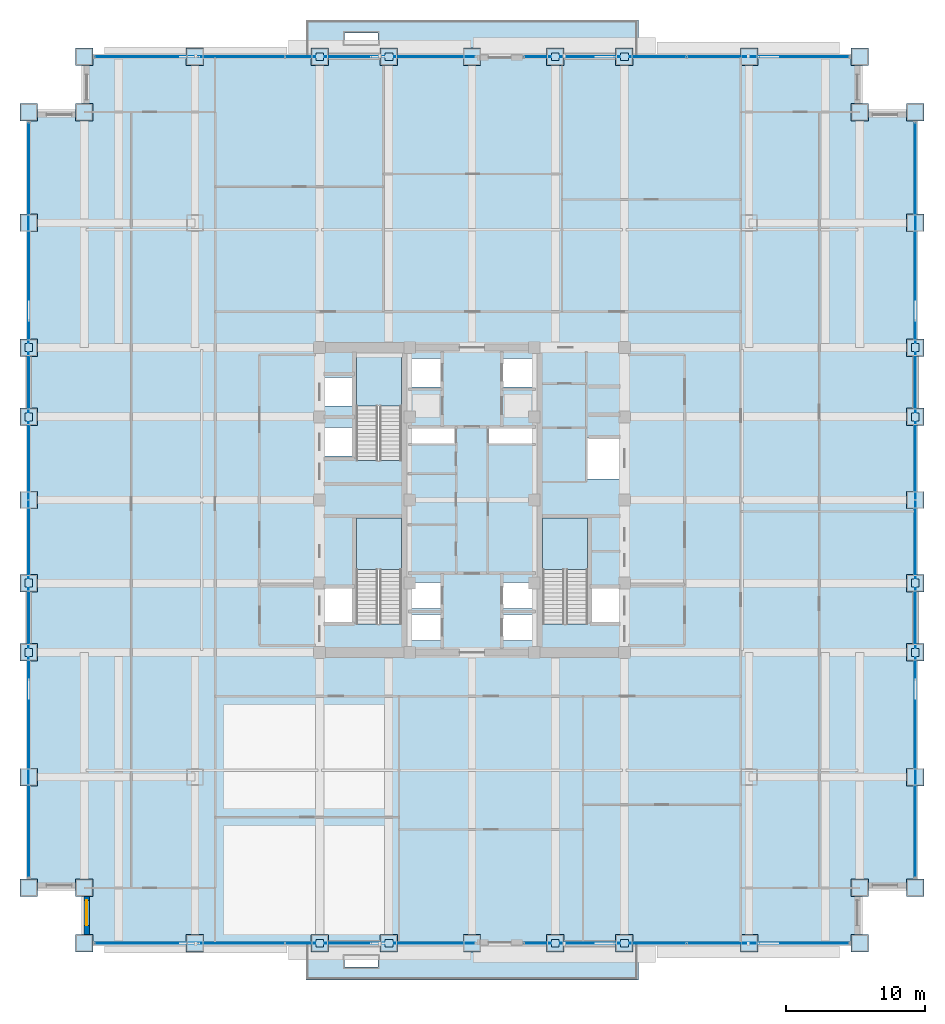
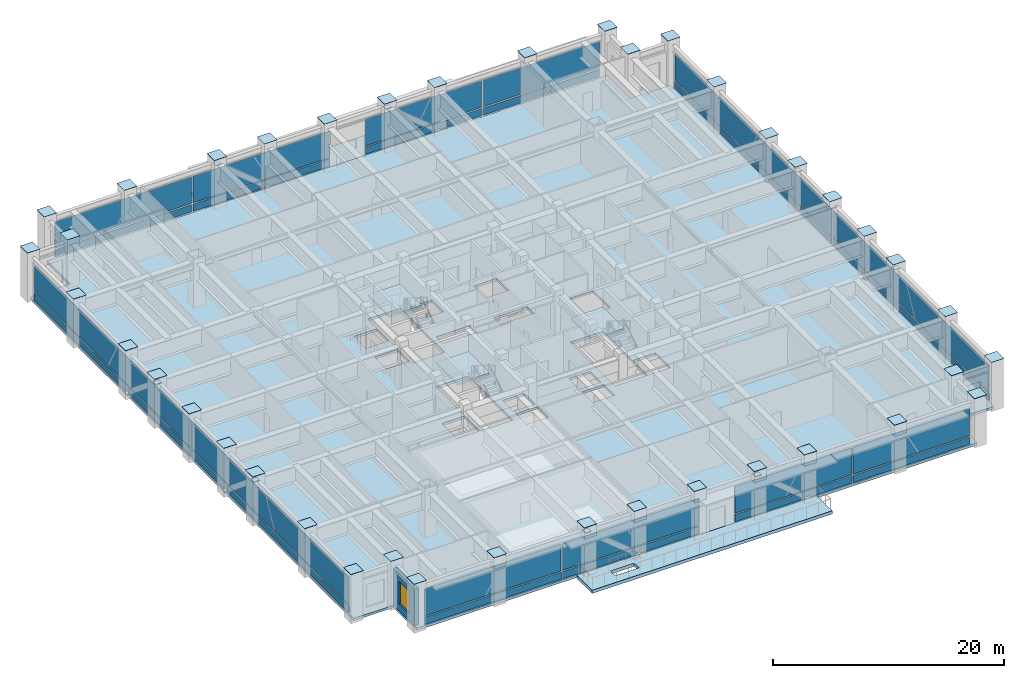
# One storey, part 23 of 34: 80 plates, 6 slabs, 1 wall, 1 window, 1 opening, 9 elements without a shape of their own.
"""IFC4 building model written with IfcOpenShell, lengths in metres."""

import ifcopenshell
import ifcopenshell.guid

model = None  # the IFC model being written
_history = None  # IfcOwnerHistory: only IFC2X3 demands one
_inside = {}  # id of a spatial element -> (the spatial element, [elements in it])
_under = {}  # id of a project, library or spatial element -> (it, [spatial elements below it])
_declared = {}  # id of a project -> (the project, [libraries it declares])
_typed = {}  # id of a type object -> (the type object, [elements of that type])
_made_of = {}  # id of a material, layer set ... -> (it, [elements and type objects made of it])


def new_model(schema):
    """Start an empty IFC model of exactly this schema.

    Asked for "IFC4X3", IfcOpenShell would pick the latest addendum, in which some entities
    have other attributes; the version numbers below select the first issue.
    IFC2X3 requires an IfcOwnerHistory on every rooted entity: one is made here for all.
    """
    global model, _history
    if schema == "IFC4X3":
        model = ifcopenshell.file(schema_version=(4, 3, 0, 0))
    else:
        model = ifcopenshell.file(schema=schema)
    _inside.clear()
    _under.clear()
    _declared.clear()
    _typed.clear()
    _made_of.clear()
    _history = None
    if model.schema == "IFC2X3":
        org = make("IfcOrganization", Name="unknown")
        user = make(
            "IfcPersonAndOrganization",
            ThePerson=make("IfcPerson", FamilyName="unknown"),
            TheOrganization=org,
        )
        app = make(
            "IfcApplication",
            ApplicationDeveloper=org,
            Version="unknown",
            ApplicationFullName="unknown",
            ApplicationIdentifier="unknown",
        )
        _history = make(
            "IfcOwnerHistory",
            OwningUser=user,
            OwningApplication=app,
            ChangeAction="ADDED",
            CreationDate=0,
        )
    return model


def make(cls, **values):
    """One entity of the class cls with the attributes given. An attribute that is None is left unset."""
    return model.create_entity(
        cls, **{name: value for name, value in values.items() if value is not None}
    )


def rooted(cls, **values):
    """An entity with a GlobalId (a new one), such as an element, a storey or a relation."""
    return make(cls, GlobalId=ifcopenshell.guid.new(), OwnerHistory=_history, **values)


def si_unit(unit_type, name, prefix=None):
    """IfcSIUnit, for example si_unit("LENGTHUNIT", "METRE", prefix="MILLI")."""
    return make("IfcSIUnit", UnitType=unit_type, Prefix=prefix, Name=name)


def assignment(units):
    """IfcUnitAssignment: the units of a project."""
    return None if units is None else make("IfcUnitAssignment", Units=units)


def point(xyz):
    """IfcCartesianPoint."""
    return None if xyz is None else make("IfcCartesianPoint", Coordinates=xyz)


def direction(xyz):
    """IfcDirection."""
    return None if xyz is None else make("IfcDirection", DirectionRatios=xyz)


def frame(location, z_axis=None, x_axis=None):
    """IfcAxis2Placement3D, a coordinate frame: its origin and axes. An axis left out is left unset."""
    return make(
        "IfcAxis2Placement3D",
        Location=point(location),
        Axis=direction(z_axis),
        RefDirection=direction(x_axis),
    )


def frame_2d(location, x_axis=None):
    """IfcAxis2Placement2D, a coordinate frame in the plane: its origin and x axis."""
    return make(
        "IfcAxis2Placement2D", Location=point(location), RefDirection=direction(x_axis)
    )


def origin():
    """The frame at (0, 0, 0) with its axes left unset."""
    return frame((0.0, 0.0, 0.0))


def origin_2d():
    """The frame at (0, 0) in the plane with its x axis left unset."""
    return frame_2d((0.0, 0.0))


def place(relative_to, where):
    """IfcLocalPlacement: puts the frame where relative to a parent placement (None: the world)."""
    return make(
        "IfcLocalPlacement", PlacementRelTo=relative_to, RelativePlacement=where
    )


def context(
    kind, dimensions, precision=None, world=None, true_north=None, identifier=None
):
    """IfcGeometricRepresentationContext, for example the 3D "Model" context."""
    return make(
        "IfcGeometricRepresentationContext",
        ContextIdentifier=identifier,
        ContextType=kind,
        CoordinateSpaceDimension=dimensions,
        Precision=precision,
        WorldCoordinateSystem=world,
        TrueNorth=true_north,
    )


def subcontext(parent, identifier, kind, view, scale=None):
    """IfcGeometricRepresentationSubContext, for example "Body" below "Model"."""
    return make(
        "IfcGeometricRepresentationSubContext",
        ContextIdentifier=identifier,
        ContextType=kind,
        ParentContext=parent,
        TargetScale=scale,
        TargetView=view,
    )


def project(units=None, contexts=None):
    """IfcProject with its units and contexts."""
    return rooted(
        "IfcProject",
        Name="project",
        RepresentationContexts=contexts,
        UnitsInContext=assignment(units),
    )


def spatial(cls, under=None, at=None, **own):
    """A site, building, storey or space (cls), placed at a placement, below another one or the project."""
    s = rooted(cls, ObjectPlacement=at, **own)
    if under is not None:
        _under.setdefault(under.id(), (under, []))[1].append(s)
    return s


def polyline(points):
    """IfcPolyline through the points."""
    return make("IfcPolyline", Points=[point(p) for p in points])


def profile(cls, at=None, kind="AREA", **sizes):
    """A parametric profile (cls). Its sizes go by their IFC names, for example OverallWidth=200.0."""
    return make(cls, ProfileType=kind, Position=at, **sizes)


def rectangle(**sizes):
    """IfcRectangleProfileDef."""
    return profile("IfcRectangleProfileDef", **sizes)


def outline(outer, holes=None, kind="AREA"):
    """IfcArbitraryClosedProfileDef: a profile drawn as a closed curve; with holes, ...WithVoids."""
    if holes is None:
        return make("IfcArbitraryClosedProfileDef", ProfileType=kind, OuterCurve=outer)
    return make(
        "IfcArbitraryProfileDefWithVoids",
        ProfileType=kind,
        OuterCurve=outer,
        InnerCurves=holes,
    )


def extrude(swept, where, along, depth):
    """IfcExtrudedAreaSolid: the profile swept, set in the frame where, extruded along a direction by depth."""
    return make(
        "IfcExtrudedAreaSolid",
        SweptArea=swept,
        Position=where,
        ExtrudedDirection=direction(along),
        Depth=depth,
    )


def shape(context_of_items, identifier, shape_type, items):
    """IfcShapeRepresentation: the items that make up one representation, for example the "Body"."""
    return make(
        "IfcShapeRepresentation",
        ContextOfItems=context_of_items,
        RepresentationIdentifier=identifier,
        RepresentationType=shape_type,
        Items=items,
    )


def source(mapping_origin, context_of_items, identifier, shape_type, items):
    """IfcRepresentationMap: a shape defined once, which mapped items show again and again."""
    return make(
        "IfcRepresentationMap",
        MappingOrigin=mapping_origin,
        MappedRepresentation=shape(context_of_items, identifier, shape_type, items),
    )


def transform(
    local_origin,
    x_axis=None,
    y_axis=None,
    z_axis=None,
    scale=None,
    scale2=None,
    scale3=None,
    uniform=True,
):
    """IfcCartesianTransformationOperator3D, or its non-uniform kind. x_axis, y_axis, z_axis: its Axis1, 2, 3."""
    if uniform:
        return make(
            "IfcCartesianTransformationOperator3D",
            Axis1=direction(x_axis),
            Axis2=direction(y_axis),
            LocalOrigin=point(local_origin),
            Scale=scale,
            Axis3=direction(z_axis),
        )
    return make(
        "IfcCartesianTransformationOperator3DnonUniform",
        Axis1=direction(x_axis),
        Axis2=direction(y_axis),
        LocalOrigin=point(local_origin),
        Scale=scale,
        Axis3=direction(z_axis),
        Scale2=scale2,
        Scale3=scale3,
    )


def mapped(mapping_source, mapping_target):
    """IfcMappedItem: shows the shape of a source again, moved by a transform."""
    return make(
        "IfcMappedItem", MappingSource=mapping_source, MappingTarget=mapping_target
    )


def material(Name=None, Category=None):
    """IfcMaterial."""
    return make("IfcMaterial", Name=Name, Category=Category)


def layer(
    of_material, thickness, ventilated=None, Name=None, Category=None, Priority=None
):
    """IfcMaterialLayer: one layer of a wall or slab, of a material (None: an air gap)."""
    return make(
        "IfcMaterialLayer",
        Material=of_material,
        LayerThickness=thickness,
        IsVentilated=ventilated,
        Name=Name,
        Category=Category,
        Priority=Priority,
    )


def layer_set(layers, Name=None):
    """IfcMaterialLayerSet."""
    return make("IfcMaterialLayerSet", MaterialLayers=layers, LayerSetName=Name)


def made_of(thing, what):
    """Note that an element or type object is made of a material, layer set ...; save() writes the relation."""
    if what is not None:
        _made_of.setdefault(what.id(), (what, []))[1].append(thing)
    return thing


def type_object(cls, material=None, **own):
    """A type object (cls), such as IfcWallType, which elements share."""
    return made_of(rooted(cls, **own), material)


def element(
    cls,
    number,
    at=None,
    inside=None,
    cuts=None,
    type_object=None,
    material=None,
    context=None,
    identifier="Body",
    shape_type=None,
    held_by="IfcProductDefinitionShape",
    body=None,
    shapes=None,
    **own,
):
    """One element of the class cls, such as IfcWall. Its Tag is "e" and its number.

    at: its placement. inside: the storey or other place that contains it. cuts: it is an
    opening in that element (IfcRelVoidsElement). A single representation is given by context,
    identifier, shape_type and body (its items); several are given by shapes. held_by: the class
    of the entity that holds the representations. save() writes the other relations.
    """
    e = rooted(cls, Tag="e%d" % number, ObjectPlacement=at, **own)
    if body is not None:
        shapes = [shape(context, identifier, shape_type, body)]
    if shapes is not None:
        e.Representation = make(held_by, Representations=shapes)
    if inside is not None:
        _inside.setdefault(inside.id(), (inside, []))[1].append(e)
    if cuts is not None:
        rooted(
            "IfcRelVoidsElement", RelatingBuildingElement=cuts, RelatedOpeningElement=e
        )
    if type_object is not None:
        _typed.setdefault(type_object.id(), (type_object, []))[1].append(e)
    return made_of(e, material)


def fill(opening, filler):
    """IfcRelFillsElement: the door or window that sits in an opening."""
    return rooted(
        "IfcRelFillsElement",
        RelatingOpeningElement=opening,
        RelatedBuildingElement=filler,
    )


def aggregate(whole, parts):
    """IfcRelAggregates: a whole, such as a stair, and the parts it consists of."""
    return rooted("IfcRelAggregates", RelatingObject=whole, RelatedObjects=parts)


def save(model, path):
    """Write the relations noted so far, then the file.

    IfcRelAggregates (storeys below a building ...), IfcRelContainedInSpatialStructure (elements
    in a storey), IfcRelDefinesByType, IfcRelAssociatesMaterial and IfcRelDeclares: one each for
    every whole, place, type object, material and project.
    """
    for whole, parts in _under.values():
        aggregate(whole, parts)
    for where, things in _inside.values():
        rooted(
            "IfcRelContainedInSpatialStructure",
            RelatedElements=things,
            RelatingStructure=where,
        )
    for kind, things in _typed.values():
        rooted("IfcRelDefinesByType", RelatedObjects=things, RelatingType=kind)
    for what, things in _made_of.values():
        rooted("IfcRelAssociatesMaterial", RelatedObjects=things, RelatingMaterial=what)
    for by, libraries in _declared.values():
        rooted("IfcRelDeclares", RelatingContext=by, RelatedDefinitions=libraries)
    model.write(path)


model = new_model("IFC4")

# Units and contexts
model_context = context("Model", 3, precision=1e-05, world=origin(), true_north=direction((0.0, 1.0)))
body_context = subcontext(model_context, "Body", "Model", "MODEL_VIEW")
ifc_project = project(units=[si_unit("LENGTHUNIT", "METRE"), si_unit("AREAUNIT", "SQUARE_METRE"), si_unit("VOLUMEUNIT", "CUBIC_METRE"), si_unit("PLANEANGLEUNIT", "RADIAN"), si_unit("MASSUNIT", "GRAM", prefix="KILO")], contexts=[model_context])

# Site, building, storey
site_placement = place(None, origin())
site = spatial("IfcSite", under=ifc_project, at=site_placement, CompositionType="ELEMENT")
building_placement = place(site_placement, origin())
building = spatial("IfcBuilding", under=site, at=building_placement, Name="Khorayat Bourse Tower", CompositionType="ELEMENT")
storey_placement = place(building_placement, frame((0.0, 0.0, 144.699951171875)))
storey = spatial("IfcBuildingStorey", under=building, at=storey_placement, Name="L33", CompositionType="ELEMENT", Elevation=144.699951171875)

# Stair, slab
ifc_material_1 = material(Name="Concrete C40/50", Category="concrete")
stair_type = type_object("IfcStairType", Name="STR-CORE-1550", PredefinedType="HALF_TURN_STAIR", material=ifc_material_1)
stair_1_placement = place(storey_placement, origin())
stair_1 = element("IfcStair", 1, at=stair_1_placement, inside=storey, type_object=stair_type, Name="L33 Exit Stair ST-1", PredefinedType="HALF_TURN_STAIR")
ifc_layer_1 = layer(ifc_material_1, 0.199951171875)
ifc_layer_set_1 = layer_set([ifc_layer_1], Name="Concrete C40/50")
slab_type_1 = type_object("IfcSlabType", Name="SLB-LANDING-200", PredefinedType="LANDING", material=ifc_layer_set_1)
slab_1_placement = place(storey_placement, frame((0.0, 0.0, 2.400146484375)))
slab_1 = element("IfcSlab", 2, at=slab_1_placement, type_object=slab_type_1, Name="ST-1 landing 1", PredefinedType="LANDING", context=body_context, shape_type="SweptSolid", body=[
    extrude(outline(polyline([(-5.10009765625, -5.030029296875), (-5.10009765625, -1.300048828125), (-8.35009765625, -1.300048828125), (-8.35009765625, -5.030029296875), (-5.10009765625, -5.030029296875)])), origin(), (0.0, 0.0, 1.0), 0.199951171875),
])
aggregate(stair_1, [slab_1])

stair_2_placement = place(storey_placement, origin())
stair_2 = element("IfcStair", 3, at=stair_2_placement, inside=storey, type_object=stair_type, Name="L33 Exit Stair ST-2", PredefinedType="HALF_TURN_STAIR")
slab_2_placement = place(storey_placement, frame((0.0, 0.0, 2.400146484375)))
slab_2 = element("IfcSlab", 4, at=slab_2_placement, type_object=slab_type_1, Name="ST-2 landing 1", PredefinedType="LANDING", context=body_context, shape_type="SweptSolid", body=[
    extrude(outline(polyline([(-5.10009765625, 6.77001953125), (-5.10009765625, 10.5), (-8.35009765625, 10.5), (-8.35009765625, 6.77001953125), (-5.10009765625, 6.77001953125)])), origin(), (0.0, 0.0, 1.0), 0.199951171875),
])
aggregate(stair_2, [slab_2])

stair_3_placement = place(storey_placement, origin())
stair_3 = element("IfcStair", 5, at=stair_3_placement, inside=storey, type_object=stair_type, Name="L33 Exit Stair ST-3", PredefinedType="HALF_TURN_STAIR")
slab_3_placement = place(storey_placement, frame((0.0, 0.0, 2.400146484375)))
slab_3 = element("IfcSlab", 6, at=slab_3_placement, type_object=slab_type_1, Name="ST-3 landing 1", PredefinedType="LANDING", context=body_context, shape_type="SweptSolid", body=[
    extrude(outline(polyline([(8.35009765625, -5.030029296875), (8.35009765625, -1.300048828125), (5.10009765625, -1.300048828125), (5.10009765625, -5.030029296875), (8.35009765625, -5.030029296875)])), origin(), (0.0, 0.0, 1.0), 0.199951171875),
])
aggregate(stair_3, [slab_3])

# Slabs
ifc_layer_2 = layer(ifc_material_1, 0.340087890625)
ifc_layer_set_2 = layer_set([ifc_layer_2], Name="Concrete C40/50")
slab_type_2 = type_object("IfcSlabType", Name="SLB-SKYGARDEN-340", PredefinedType="FLOOR", material=ifc_layer_set_2)
slab_4_placement = place(storey_placement, frame((0.0, 0.0, -0.33984375)))
element("IfcSlab", 7, at=slab_4_placement, inside=storey, type_object=slab_type_2, Name="L33 Planted Garden Terrace Slab 01", PredefinedType="FLOOR", context=body_context, shape_type="SweptSolid", body=[
    extrude(outline(polyline([(-12.0, 32.0), (12.0, 32.0), (12.0, 34.64990234375), (-12.0, 34.64990234375), (-12.0, 32.0)]), holes=[polyline([(-9.199951171875, 32.925048828125), (-6.800048828125, 32.925048828125), (-6.800048828125, 33.72509765625), (-9.199951171875, 33.72509765625), (-9.199951171875, 32.925048828125)])]), origin(), (0.0, 0.0, 1.0), 0.33984375),
])
slab_5_placement = place(storey_placement, frame((0.0, 0.0, -0.33984375)))
element("IfcSlab", 8, at=slab_5_placement, inside=storey, type_object=slab_type_2, Name="L33 Planted Garden Terrace Slab 02", PredefinedType="FLOOR", context=body_context, shape_type="SweptSolid", body=[
    extrude(outline(polyline([(-12.0, -34.64990234375), (12.0, -34.64990234375), (12.0, -32.0), (-12.0, -32.0), (-12.0, -34.64990234375)]), holes=[polyline([(-9.199951171875, -33.72509765625), (-6.800048828125, -33.72509765625), (-6.800048828125, -32.925048828125), (-9.199951171875, -32.925048828125), (-9.199951171875, -33.72509765625)])]), origin(), (0.0, 0.0, 1.0), 0.33984375),
])
ifc_layer_3 = layer(ifc_material_1, 0.260009765625)
ifc_layer_set_3 = layer_set([ifc_layer_3], Name="Concrete C40/50")
slab_type_3 = type_object("IfcSlabType", Name="SLB-TRADE-260", PredefinedType="FLOOR", material=ifc_layer_set_3)
slab_6_placement = place(storey_placement, frame((0.0, 0.0, -0.260009765625)))
element("IfcSlab", 9, at=slab_6_placement, inside=storey, type_object=slab_type_3, Name="L33 Main Floor Slab", PredefinedType="FLOOR", context=body_context, shape_type="SweptSolid", body=[
    extrude(outline(polyline([(-28.0, -32.0), (28.0, -32.0), (28.0, -28.0), (32.0, -28.0), (32.0, 28.0), (28.0, 28.0), (28.0, 32.0), (-28.0, 32.0), (-28.0, 28.0), (-32.0, 28.0), (-32.0, -28.0), (-28.0, -28.0), (-28.0, -32.0)]), holes=[polyline([(-8.35009765625, -8.945068359375), (-5.10009765625, -8.945068359375), (-5.10009765625, -1.300048828125), (-8.35009765625, -1.300048828125), (-8.35009765625, -8.945068359375)]), polyline([(-8.35009765625, 2.85498046875), (-5.10009765625, 2.85498046875), (-5.10009765625, 10.5), (-8.35009765625, 10.5), (-8.35009765625, 2.85498046875)]), polyline([(5.10009765625, -8.945068359375), (8.35009765625, -8.945068359375), (8.35009765625, -1.300048828125), (5.10009765625, -1.300048828125), (5.10009765625, -8.945068359375)]), polyline([(-4.3798828125, -10.1298828125), (-2.219970703125, -10.1298828125), (-2.219970703125, -8.27001953125), (-4.3798828125, -8.27001953125), (-4.3798828125, -10.1298828125)]), polyline([(2.219970703125, -10.1298828125), (4.3798828125, -10.1298828125), (4.3798828125, -8.27001953125), (2.219970703125, -8.27001953125), (2.219970703125, -10.1298828125)]), polyline([(-4.3798828125, -7.830078125), (-2.219970703125, -7.830078125), (-2.219970703125, -5.969970703125), (-4.3798828125, -5.969970703125), (-4.3798828125, -7.830078125)]), polyline([(2.219970703125, -7.830078125), (4.3798828125, -7.830078125), (4.3798828125, -5.969970703125), (2.219970703125, -5.969970703125), (2.219970703125, -7.830078125)]), polyline([(-4.3798828125, 8.169921875), (-2.1201171875, 8.169921875), (-2.1201171875, 10.22998046875), (-4.3798828125, 10.22998046875), (-4.3798828125, 8.169921875)]), polyline([(2.1201171875, 8.169921875), (4.3798828125, 8.169921875), (4.3798828125, 10.22998046875), (2.1201171875, 10.22998046875), (2.1201171875, 8.169921875)]), polyline([(-10.679931640625, 3.169921875), (-8.419921875, 3.169921875), (-8.419921875, 5.22998046875), (-10.679931640625, 5.22998046875), (-10.679931640625, 3.169921875)]), polyline([(-10.679931640625, 6.77001953125), (-8.419921875, 6.77001953125), (-8.419921875, 8.830078125), (-10.679931640625, 8.830078125), (-10.679931640625, 6.77001953125)]), polyline([(-10.679931640625, -8.929931640625), (-8.419921875, -8.929931640625), (-8.419921875, -6.3701171875), (-10.679931640625, -6.3701171875), (-10.679931640625, -8.929931640625)]), polyline([(8.419921875, -8.929931640625), (10.679931640625, -8.929931640625), (10.679931640625, -6.3701171875), (8.419921875, -6.3701171875), (8.419921875, -8.929931640625)]), polyline([(8.320068359375, 1.52001953125), (10.679931640625, 1.52001953125), (10.679931640625, 4.47998046875), (8.320068359375, 4.47998046875), (8.320068359375, 1.52001953125)]), polyline([(-4.56005859375, 4.080078125), (-1.18994140625, 4.080078125), (-1.18994140625, 5.219970703125), (-4.56005859375, 5.219970703125), (-4.56005859375, 4.080078125)]), polyline([(1.18994140625, 4.080078125), (4.56005859375, 4.080078125), (4.56005859375, 5.219970703125), (1.18994140625, 5.219970703125), (1.18994140625, 4.080078125)])]), origin(), (0.0, 0.0, 1.0), 0.260009765625),
])

# Plates
ifc_material_2 = material(Name="Steel EN 10025-2 S355J2", Category="steel")
ifc_layer_4 = layer(ifc_material_2, 0.02490234375)
ifc_layer_set_4 = layer_set([ifc_layer_4], Name="Steel EN 10025-2 S355J2")
plate_type_1 = type_object("IfcPlateType", Name="PLT-ENDCAP-25", PredefinedType="SHEET", material=ifc_layer_set_4)
shared_shape_1 = source(origin(), body_context, "Body", "SweptSolid", [
    extrude(rectangle(XDim=0.56005859375, YDim=0.56005859375, at=origin_2d()), origin(), (0.0, 0.0, 1.0), 0.02490234375),
])
for number, where, z_axis, x_axis, name in (
    (10, (-11.0, -32.0, 4.337646484375), (0.0, 0.0, 1.0), (1.0, 0.0, 0.0), "L33 Perimeter Brace End Plate 001"),
    (11, (-6.0, -32.0, 0.237548828125), (0.0, 0.0, 1.0), (1.0, 0.0, 0.0), "L33 Perimeter Brace End Plate 002"),
    (12, (6.0, -32.0, 4.337646484375), (0.0, 0.0, 1.0), (1.0, 0.0, 0.0), "L33 Perimeter Brace End Plate 003"),
    (13, (11.0, -32.0, 0.237548828125), (0.0, 0.0, 1.0), (1.0, 0.0, 0.0), "L33 Perimeter Brace End Plate 004"),
    (14, (-11.0, 32.0, 4.337646484375), (0.0, 0.0, 1.0), (1.0, 0.0, 0.0), "L33 Perimeter Brace End Plate 005"),
    (15, (-6.0, 32.0, 0.237548828125), (0.0, 0.0, 1.0), (1.0, 0.0, 0.0), "L33 Perimeter Brace End Plate 006"),
    (16, (6.0, 32.0, 4.337646484375), (0.0, 0.0, 1.0), (1.0, 0.0, 0.0), "L33 Perimeter Brace End Plate 007"),
    (17, (11.0, 32.0, 0.237548828125), (0.0, 0.0, 1.0), (1.0, 0.0, 0.0), "L33 Perimeter Brace End Plate 008"),
    (18, (-32.0, -11.0, 4.337646484375), (0.0, 0.0, 1.0), (1.0, 0.0, 0.0), "L33 Perimeter Brace End Plate 009"),
    (19, (-32.0, -6.0, 0.237548828125), (0.0, 0.0, 1.0), (1.0, 0.0, 0.0), "L33 Perimeter Brace End Plate 010"),
    (20, (-32.0, 6.0, 4.337646484375), (0.0, 0.0, 1.0), (1.0, 0.0, 0.0), "L33 Perimeter Brace End Plate 011"),
    (21, (-32.0, 11.0, 0.237548828125), (0.0, 0.0, 1.0), (1.0, 0.0, 0.0), "L33 Perimeter Brace End Plate 012"),
    (22, (32.0, -11.0, 4.337646484375), (0.0, 0.0, 1.0), (1.0, 0.0, 0.0), "L33 Perimeter Brace End Plate 013"),
    (23, (32.0, -6.0, 0.237548828125), (0.0, 0.0, 1.0), (1.0, 0.0, 0.0), "L33 Perimeter Brace End Plate 014"),
    (24, (32.0, 6.0, 4.337646484375), (0.0, 0.0, 1.0), (1.0, 0.0, 0.0), "L33 Perimeter Brace End Plate 015"),
    (25, (32.0, 11.0, 0.237548828125), (0.0, 0.0, 1.0), (1.0, 0.0, 0.0), "L33 Perimeter Brace End Plate 016"),
):
    element("IfcPlate", number, at=place(storey_placement, frame(where, z_axis=z_axis, x_axis=x_axis)), inside=storey, type_object=plate_type_1, Name=name, PredefinedType="SHEET", context=body_context, shape_type="MappedRepresentation", body=[
        mapped(shared_shape_1, transform((0.0, 0.0, 0.0), scale=1.0)),
    ])
shared_shape_2 = source(origin(), body_context, "Body", "SweptSolid", [
    extrude(rectangle(XDim=1.260009765625, YDim=1.260009765625, at=origin_2d()), origin(), (0.0, 0.0, 1.0), 0.02490234375),
])
for number, where, z_axis, x_axis, name in (
    (26, (-32.0, -28.0, 5.2001953125), (0.0, 0.0, 1.0), (1.0, 0.0, 0.0), "L33 Column Top Endcap Plate 001"),
    (27, (-32.0, -20.0, 5.2001953125), (0.0, 0.0, 1.0), (1.0, 0.0, 0.0), "L33 Column Top Endcap Plate 002"),
    (28, (-32.0, -11.0, 5.2001953125), (0.0, 0.0, 1.0), (1.0, 0.0, 0.0), "L33 Column Top Endcap Plate 003"),
    (29, (-32.0, -6.0, 5.2001953125), (0.0, 0.0, 1.0), (1.0, 0.0, 0.0), "L33 Column Top Endcap Plate 004"),
    (30, (-32.0, 0.0, 5.2001953125), (0.0, 0.0, 1.0), (1.0, 0.0, 0.0), "L33 Column Top Endcap Plate 005"),
    (31, (-32.0, 6.0, 5.2001953125), (0.0, 0.0, 1.0), (1.0, 0.0, 0.0), "L33 Column Top Endcap Plate 006"),
    (32, (-32.0, 11.0, 5.2001953125), (0.0, 0.0, 1.0), (1.0, 0.0, 0.0), "L33 Column Top Endcap Plate 007"),
    (33, (-32.0, 20.0, 5.2001953125), (0.0, 0.0, 1.0), (1.0, 0.0, 0.0), "L33 Column Top Endcap Plate 008"),
    (34, (-32.0, 28.0, 5.2001953125), (0.0, 0.0, 1.0), (1.0, 0.0, 0.0), "L33 Column Top Endcap Plate 009"),
    (35, (-28.0, -32.0, 5.2001953125), (0.0, 0.0, 1.0), (1.0, 0.0, 0.0), "L33 Column Top Endcap Plate 010"),
    (36, (-28.0, -28.0, 5.2001953125), (0.0, 0.0, 1.0), (1.0, 0.0, 0.0), "L33 Column Top Endcap Plate 011"),
    (37, (-28.0, 28.0, 5.2001953125), (0.0, 0.0, 1.0), (1.0, 0.0, 0.0), "L33 Column Top Endcap Plate 012"),
    (38, (-28.0, 32.0, 5.2001953125), (0.0, 0.0, 1.0), (1.0, 0.0, 0.0), "L33 Column Top Endcap Plate 013"),
    (39, (-20.0, -32.0, 5.2001953125), (0.0, 0.0, 1.0), (1.0, 0.0, 0.0), "L33 Column Top Endcap Plate 014"),
    (40, (-20.0, 32.0, 5.2001953125), (0.0, 0.0, 1.0), (1.0, 0.0, 0.0), "L33 Column Top Endcap Plate 017"),
    (41, (-11.0, -32.0, 5.2001953125), (0.0, 0.0, 1.0), (1.0, 0.0, 0.0), "L33 Column Top Endcap Plate 018"),
    (42, (-11.0, 32.0, 5.2001953125), (0.0, 0.0, 1.0), (1.0, 0.0, 0.0), "L33 Column Top Endcap Plate 024"),
    (43, (-6.0, -32.0, 5.2001953125), (0.0, 0.0, 1.0), (1.0, 0.0, 0.0), "L33 Column Top Endcap Plate 025"),
    (44, (-6.0, 32.0, 5.2001953125), (0.0, 0.0, 1.0), (1.0, 0.0, 0.0), "L33 Column Top Endcap Plate 026"),
    (45, (0.0, -32.0, 5.2001953125), (0.0, 0.0, 1.0), (1.0, 0.0, 0.0), "L33 Column Top Endcap Plate 032"),
    (46, (0.0, 32.0, 5.2001953125), (0.0, 0.0, 1.0), (1.0, 0.0, 0.0), "L33 Column Top Endcap Plate 033"),
    (47, (6.0, -32.0, 5.2001953125), (0.0, 0.0, 1.0), (1.0, 0.0, 0.0), "L33 Column Top Endcap Plate 039"),
    (48, (6.0, 32.0, 5.2001953125), (0.0, 0.0, 1.0), (1.0, 0.0, 0.0), "L33 Column Top Endcap Plate 040"),
    (49, (11.0, -32.0, 5.2001953125), (0.0, 0.0, 1.0), (1.0, 0.0, 0.0), "L33 Column Top Endcap Plate 041"),
    (50, (11.0, 32.0, 5.2001953125), (0.0, 0.0, 1.0), (1.0, 0.0, 0.0), "L33 Column Top Endcap Plate 047"),
    (51, (20.0, -32.0, 5.2001953125), (0.0, 0.0, 1.0), (1.0, 0.0, 0.0), "L33 Column Top Endcap Plate 048"),
    (52, (20.0, 32.0, 5.2001953125), (0.0, 0.0, 1.0), (1.0, 0.0, 0.0), "L33 Column Top Endcap Plate 051"),
    (53, (28.0, -32.0, 5.2001953125), (0.0, 0.0, 1.0), (1.0, 0.0, 0.0), "L33 Column Top Endcap Plate 052"),
    (54, (28.0, -28.0, 5.2001953125), (0.0, 0.0, 1.0), (1.0, 0.0, 0.0), "L33 Column Top Endcap Plate 053"),
    (55, (28.0, 28.0, 5.2001953125), (0.0, 0.0, 1.0), (1.0, 0.0, 0.0), "L33 Column Top Endcap Plate 054"),
    (56, (28.0, 32.0, 5.2001953125), (0.0, 0.0, 1.0), (1.0, 0.0, 0.0), "L33 Column Top Endcap Plate 055"),
    (57, (32.0, -28.0, 5.2001953125), (0.0, 0.0, 1.0), (1.0, 0.0, 0.0), "L33 Column Top Endcap Plate 056"),
    (58, (32.0, -20.0, 5.2001953125), (0.0, 0.0, 1.0), (1.0, 0.0, 0.0), "L33 Column Top Endcap Plate 057"),
    (59, (32.0, -11.0, 5.2001953125), (0.0, 0.0, 1.0), (1.0, 0.0, 0.0), "L33 Column Top Endcap Plate 058"),
    (60, (32.0, -6.0, 5.2001953125), (0.0, 0.0, 1.0), (1.0, 0.0, 0.0), "L33 Column Top Endcap Plate 059"),
    (61, (32.0, 0.0, 5.2001953125), (0.0, 0.0, 1.0), (1.0, 0.0, 0.0), "L33 Column Top Endcap Plate 060"),
    (62, (32.0, 6.0, 5.2001953125), (0.0, 0.0, 1.0), (1.0, 0.0, 0.0), "L33 Column Top Endcap Plate 061"),
    (63, (32.0, 11.0, 5.2001953125), (0.0, 0.0, 1.0), (1.0, 0.0, 0.0), "L33 Column Top Endcap Plate 062"),
    (64, (32.0, 20.0, 5.2001953125), (0.0, 0.0, 1.0), (1.0, 0.0, 0.0), "L33 Column Top Endcap Plate 063"),
    (65, (32.0, 28.0, 5.2001953125), (0.0, 0.0, 1.0), (1.0, 0.0, 0.0), "L33 Column Top Endcap Plate 064"),
):
    element("IfcPlate", number, at=place(storey_placement, frame(where, z_axis=z_axis, x_axis=x_axis)), inside=storey, type_object=plate_type_1, Name=name, PredefinedType="SHEET", context=body_context, shape_type="MappedRepresentation", body=[
        mapped(shared_shape_2, transform((0.0, 0.0, 0.0), scale=1.0)),
    ])

# Curtain wall, plates
ifc_material_3 = material(Name="Aluminium EN AW-6063 T6", Category="aluminium")
curtain_wall_type = type_object("IfcCurtainWallType", Name="CW-SYS-05", PredefinedType="NOTDEFINED", material=ifc_material_3)
curtain_wall_1_placement = place(storey_placement, origin())
curtain_wall_1 = element("IfcCurtainWall", 66, at=curtain_wall_1_placement, inside=storey, type_object=curtain_wall_type, Name="L33 Curtain Wall CW-L33-S1", PredefinedType="NOTDEFINED")
ifc_material_4 = material(Name="Honed desert limestone insulated spandrel", Category="masonry")
ifc_layer_5 = layer(ifc_material_4, 0.06494140625)
ifc_layer_set_5 = layer_set([ifc_layer_5], Name="Honed desert limestone insulated spandrel")
plate_type_2 = type_object("IfcPlateType", Name="CWP-SPAND-03", PredefinedType="CURTAIN_PANEL", material=ifc_layer_set_5)
shared_shape_3 = source(origin(), body_context, "Body", "SweptSolid", [
    extrude(rectangle(XDim=13.639892578125, YDim=0.06494140625, at=origin_2d()), origin(), (0.0, 0.0, 1.0), 0.77001953125),
])
plate_1_placement = place(storey_placement, frame((-20.389892578125, -32.0, 0.1201171875), z_axis=(0.0, 0.0, 1.0), x_axis=(1.0, 0.0, 0.0)))
plate_1 = element("IfcPlate", 67, at=plate_1_placement, type_object=plate_type_2, Name="CW-L33-S1 Spandrel Panel 1-1", PredefinedType="CURTAIN_PANEL", context=body_context, shape_type="MappedRepresentation", body=[
    mapped(shared_shape_3, transform((0.0, 0.0, 0.0), scale=1.0)),
])
plate_2_placement = place(storey_placement, frame((-6.610107421875, -32.0, 0.1201171875), z_axis=(0.0, 0.0, 1.0), x_axis=(1.0, 0.0, 0.0)))
plate_2 = element("IfcPlate", 68, at=plate_2_placement, type_object=plate_type_2, Name="CW-L33-S1 Spandrel Panel 2-1", PredefinedType="CURTAIN_PANEL", context=body_context, shape_type="MappedRepresentation", body=[
    mapped(shared_shape_3, transform((0.0, 0.0, 0.0), scale=1.0)),
])

curtain_wall_2_placement = place(storey_placement, origin())
curtain_wall_2 = element("IfcCurtainWall", 69, at=curtain_wall_2_placement, inside=storey, type_object=curtain_wall_type, Name="L33 Curtain Wall CW-L33-N1", PredefinedType="NOTDEFINED")
plate_3_placement = place(storey_placement, frame((-20.389892578125, 32.0, 0.1201171875), z_axis=(0.0, 0.0, 1.0), x_axis=(1.0, 0.0, 0.0)))
plate_3 = element("IfcPlate", 70, at=plate_3_placement, type_object=plate_type_2, Name="CW-L33-N1 Spandrel Panel 1-1", PredefinedType="CURTAIN_PANEL", context=body_context, shape_type="MappedRepresentation", body=[
    mapped(shared_shape_3, transform((0.0, 0.0, 0.0), scale=1.0)),
])
plate_4_placement = place(storey_placement, frame((-6.610107421875, 32.0, 0.1201171875), z_axis=(0.0, 0.0, 1.0), x_axis=(1.0, 0.0, 0.0)))
plate_4 = element("IfcPlate", 71, at=plate_4_placement, type_object=plate_type_2, Name="CW-L33-N1 Spandrel Panel 2-1", PredefinedType="CURTAIN_PANEL", context=body_context, shape_type="MappedRepresentation", body=[
    mapped(shared_shape_3, transform((0.0, 0.0, 0.0), scale=1.0)),
])

# Plate
ifc_material_5 = material(Name="Low-E solar-control laminated double glazing", Category="glass")
ifc_layer_6 = layer(ifc_material_5, 0.035888671875)
ifc_layer_set_6 = layer_set([ifc_layer_6], Name="Low-E solar-control laminated double glazing")
plate_type_3 = type_object("IfcPlateType", Name="CWP-VIS-01", PredefinedType="CURTAIN_PANEL", material=ifc_layer_set_6)
shared_shape_4 = source(origin(), body_context, "Body", "SweptSolid", [
    extrude(rectangle(XDim=13.639892578125, YDim=0.035888671875, at=origin_2d()), origin(), (0.0, 0.0, 1.0), 2.820068359375),
])
plate_5_placement = place(storey_placement, frame((-20.389892578125, -32.0, 1.01025390625), z_axis=(0.0, 0.0, 1.0), x_axis=(1.0, 0.0, 0.0)))
plate_5 = element("IfcPlate", 72, at=plate_5_placement, type_object=plate_type_3, Name="CW-L33-S1 Vision Panel 1-2", PredefinedType="CURTAIN_PANEL", context=body_context, shape_type="MappedRepresentation", body=[
    mapped(shared_shape_4, transform((0.0, 0.0, 0.0), scale=1.0)),
])

plate_6_placement = place(storey_placement, frame((-6.610107421875, -32.0, 1.01025390625), z_axis=(0.0, 0.0, 1.0), x_axis=(1.0, 0.0, 0.0)))
plate_6 = element("IfcPlate", 73, at=plate_6_placement, type_object=plate_type_3, Name="CW-L33-S1 Vision Panel 2-2", PredefinedType="CURTAIN_PANEL", context=body_context, shape_type="MappedRepresentation", body=[
    mapped(shared_shape_4, transform((0.0, 0.0, 0.0), scale=1.0)),
])

aggregate(curtain_wall_1, [plate_1, plate_5, plate_2, plate_6])

plate_7_placement = place(storey_placement, frame((-20.389892578125, 32.0, 1.01025390625), z_axis=(0.0, 0.0, 1.0), x_axis=(1.0, 0.0, 0.0)))
plate_7 = element("IfcPlate", 74, at=plate_7_placement, type_object=plate_type_3, Name="CW-L33-N1 Vision Panel 1-2", PredefinedType="CURTAIN_PANEL", context=body_context, shape_type="MappedRepresentation", body=[
    mapped(shared_shape_4, transform((0.0, 0.0, 0.0), scale=1.0)),
])

plate_8_placement = place(storey_placement, frame((-6.610107421875, 32.0, 1.01025390625), z_axis=(0.0, 0.0, 1.0), x_axis=(1.0, 0.0, 0.0)))
plate_8 = element("IfcPlate", 75, at=plate_8_placement, type_object=plate_type_3, Name="CW-L33-N1 Vision Panel 2-2", PredefinedType="CURTAIN_PANEL", context=body_context, shape_type="MappedRepresentation", body=[
    mapped(shared_shape_4, transform((0.0, 0.0, 0.0), scale=1.0)),
])

aggregate(curtain_wall_2, [plate_3, plate_7, plate_4, plate_8])

# Curtain wall, plates
curtain_wall_3_placement = place(storey_placement, origin())
curtain_wall_3 = element("IfcCurtainWall", 76, at=curtain_wall_3_placement, inside=storey, type_object=curtain_wall_type, Name="L33 Curtain Wall CW-L33-S2", PredefinedType="NOTDEFINED")
shared_shape_5 = source(origin(), body_context, "Body", "SweptSolid", [
    extrude(rectangle(XDim=11.639892578125, YDim=0.06494140625, at=origin_2d()), origin(), (0.0, 0.0, 1.0), 0.77001953125),
])
plate_9_placement = place(storey_placement, frame((9.610107421875, -32.0, 0.1201171875), z_axis=(0.0, 0.0, 1.0), x_axis=(1.0, 0.0, 0.0)))
plate_9 = element("IfcPlate", 77, at=plate_9_placement, type_object=plate_type_2, Name="CW-L33-S2 Spandrel Panel 1-1", PredefinedType="CURTAIN_PANEL", context=body_context, shape_type="MappedRepresentation", body=[
    mapped(shared_shape_5, transform((0.0, 0.0, 0.0), scale=1.0)),
])
plate_10_placement = place(storey_placement, frame((21.389892578125, -32.0, 0.1201171875), z_axis=(0.0, 0.0, 1.0), x_axis=(1.0, 0.0, 0.0)))
plate_10 = element("IfcPlate", 78, at=plate_10_placement, type_object=plate_type_2, Name="CW-L33-S2 Spandrel Panel 2-1", PredefinedType="CURTAIN_PANEL", context=body_context, shape_type="MappedRepresentation", body=[
    mapped(shared_shape_5, transform((0.0, 0.0, 0.0), scale=1.0)),
])

curtain_wall_4_placement = place(storey_placement, origin())
curtain_wall_4 = element("IfcCurtainWall", 79, at=curtain_wall_4_placement, inside=storey, type_object=curtain_wall_type, Name="L33 Curtain Wall CW-L33-N2", PredefinedType="NOTDEFINED")
plate_11_placement = place(storey_placement, frame((9.610107421875, 32.0, 0.1201171875), z_axis=(0.0, 0.0, 1.0), x_axis=(1.0, 0.0, 0.0)))
plate_11 = element("IfcPlate", 80, at=plate_11_placement, type_object=plate_type_2, Name="CW-L33-N2 Spandrel Panel 1-1", PredefinedType="CURTAIN_PANEL", context=body_context, shape_type="MappedRepresentation", body=[
    mapped(shared_shape_5, transform((0.0, 0.0, 0.0), scale=1.0)),
])
plate_12_placement = place(storey_placement, frame((21.389892578125, 32.0, 0.1201171875), z_axis=(0.0, 0.0, 1.0), x_axis=(1.0, 0.0, 0.0)))
plate_12 = element("IfcPlate", 81, at=plate_12_placement, type_object=plate_type_2, Name="CW-L33-N2 Spandrel Panel 2-1", PredefinedType="CURTAIN_PANEL", context=body_context, shape_type="MappedRepresentation", body=[
    mapped(shared_shape_5, transform((0.0, 0.0, 0.0), scale=1.0)),
])

# Plate
shared_shape_6 = source(origin(), body_context, "Body", "SweptSolid", [
    extrude(rectangle(XDim=11.639892578125, YDim=0.035888671875, at=origin_2d()), origin(), (0.0, 0.0, 1.0), 2.820068359375),
])
plate_13_placement = place(storey_placement, frame((9.610107421875, -32.0, 1.01025390625), z_axis=(0.0, 0.0, 1.0), x_axis=(1.0, 0.0, 0.0)))
plate_13 = element("IfcPlate", 82, at=plate_13_placement, type_object=plate_type_3, Name="CW-L33-S2 Vision Panel 1-2", PredefinedType="CURTAIN_PANEL", context=body_context, shape_type="MappedRepresentation", body=[
    mapped(shared_shape_6, transform((0.0, 0.0, 0.0), scale=1.0)),
])

plate_14_placement = place(storey_placement, frame((21.389892578125, -32.0, 1.01025390625), z_axis=(0.0, 0.0, 1.0), x_axis=(1.0, 0.0, 0.0)))
plate_14 = element("IfcPlate", 83, at=plate_14_placement, type_object=plate_type_3, Name="CW-L33-S2 Vision Panel 2-2", PredefinedType="CURTAIN_PANEL", context=body_context, shape_type="MappedRepresentation", body=[
    mapped(shared_shape_6, transform((0.0, 0.0, 0.0), scale=1.0)),
])

aggregate(curtain_wall_3, [plate_9, plate_13, plate_10, plate_14])

plate_15_placement = place(storey_placement, frame((9.610107421875, 32.0, 1.01025390625), z_axis=(0.0, 0.0, 1.0), x_axis=(1.0, 0.0, 0.0)))
plate_15 = element("IfcPlate", 84, at=plate_15_placement, type_object=plate_type_3, Name="CW-L33-N2 Vision Panel 1-2", PredefinedType="CURTAIN_PANEL", context=body_context, shape_type="MappedRepresentation", body=[
    mapped(shared_shape_6, transform((0.0, 0.0, 0.0), scale=1.0)),
])

plate_16_placement = place(storey_placement, frame((21.389892578125, 32.0, 1.01025390625), z_axis=(0.0, 0.0, 1.0), x_axis=(1.0, 0.0, 0.0)))
plate_16 = element("IfcPlate", 85, at=plate_16_placement, type_object=plate_type_3, Name="CW-L33-N2 Vision Panel 2-2", PredefinedType="CURTAIN_PANEL", context=body_context, shape_type="MappedRepresentation", body=[
    mapped(shared_shape_6, transform((0.0, 0.0, 0.0), scale=1.0)),
])

aggregate(curtain_wall_4, [plate_11, plate_15, plate_12, plate_16])

# Curtain wall, plates
curtain_wall_5_placement = place(storey_placement, origin())
curtain_wall_5 = element("IfcCurtainWall", 86, at=curtain_wall_5_placement, inside=storey, type_object=curtain_wall_type, Name="L33 Curtain Wall CW-L33-W1", PredefinedType="NOTDEFINED")
shared_shape_7 = source(origin(), body_context, "Body", "SweptSolid", [
    extrude(rectangle(XDim=27.139892578125, YDim=0.06494140625, at=origin_2d()), origin(), (0.0, 0.0, 1.0), 0.77001953125),
])
plate_17_placement = place(storey_placement, frame((-32.0, -13.639892578125, 0.1201171875), z_axis=(0.0, 0.0, 1.0), x_axis=(0.0, 1.0, 0.0)))
plate_17 = element("IfcPlate", 87, at=plate_17_placement, type_object=plate_type_2, Name="CW-L33-W1 Spandrel Panel 1-1", PredefinedType="CURTAIN_PANEL", context=body_context, shape_type="MappedRepresentation", body=[
    mapped(shared_shape_7, transform((0.0, 0.0, 0.0), scale=1.0)),
])
plate_18_placement = place(storey_placement, frame((-32.0, 13.639892578125, 0.1201171875), z_axis=(0.0, 0.0, 1.0), x_axis=(0.0, 1.0, 0.0)))
plate_18 = element("IfcPlate", 88, at=plate_18_placement, type_object=plate_type_2, Name="CW-L33-W1 Spandrel Panel 2-1", PredefinedType="CURTAIN_PANEL", context=body_context, shape_type="MappedRepresentation", body=[
    mapped(shared_shape_7, transform((0.0, 0.0, 0.0), scale=1.0)),
])

curtain_wall_6_placement = place(storey_placement, origin())
curtain_wall_6 = element("IfcCurtainWall", 89, at=curtain_wall_6_placement, inside=storey, type_object=curtain_wall_type, Name="L33 Curtain Wall CW-L33-E1", PredefinedType="NOTDEFINED")
plate_19_placement = place(storey_placement, frame((32.0, -13.639892578125, 0.1201171875), z_axis=(0.0, 0.0, 1.0), x_axis=(0.0, 1.0, 0.0)))
plate_19 = element("IfcPlate", 90, at=plate_19_placement, type_object=plate_type_2, Name="CW-L33-E1 Spandrel Panel 1-1", PredefinedType="CURTAIN_PANEL", context=body_context, shape_type="MappedRepresentation", body=[
    mapped(shared_shape_7, transform((0.0, 0.0, 0.0), scale=1.0)),
])
plate_20_placement = place(storey_placement, frame((32.0, 13.639892578125, 0.1201171875), z_axis=(0.0, 0.0, 1.0), x_axis=(0.0, 1.0, 0.0)))
plate_20 = element("IfcPlate", 91, at=plate_20_placement, type_object=plate_type_2, Name="CW-L33-E1 Spandrel Panel 2-1", PredefinedType="CURTAIN_PANEL", context=body_context, shape_type="MappedRepresentation", body=[
    mapped(shared_shape_7, transform((0.0, 0.0, 0.0), scale=1.0)),
])

# Plate
shared_shape_8 = source(origin(), body_context, "Body", "SweptSolid", [
    extrude(rectangle(XDim=27.139892578125, YDim=0.035888671875, at=origin_2d()), origin(), (0.0, 0.0, 1.0), 2.820068359375),
])
plate_21_placement = place(storey_placement, frame((-32.0, -13.639892578125, 1.01025390625), z_axis=(0.0, 0.0, 1.0), x_axis=(0.0, 1.0, 0.0)))
plate_21 = element("IfcPlate", 92, at=plate_21_placement, type_object=plate_type_3, Name="CW-L33-W1 Vision Panel 1-2", PredefinedType="CURTAIN_PANEL", context=body_context, shape_type="MappedRepresentation", body=[
    mapped(shared_shape_8, transform((0.0, 0.0, 0.0), scale=1.0)),
])

plate_22_placement = place(storey_placement, frame((-32.0, 13.639892578125, 1.01025390625), z_axis=(0.0, 0.0, 1.0), x_axis=(0.0, 1.0, 0.0)))
plate_22 = element("IfcPlate", 93, at=plate_22_placement, type_object=plate_type_3, Name="CW-L33-W1 Vision Panel 2-2", PredefinedType="CURTAIN_PANEL", context=body_context, shape_type="MappedRepresentation", body=[
    mapped(shared_shape_8, transform((0.0, 0.0, 0.0), scale=1.0)),
])

aggregate(curtain_wall_5, [plate_17, plate_21, plate_18, plate_22])

plate_23_placement = place(storey_placement, frame((32.0, -13.639892578125, 1.01025390625), z_axis=(0.0, 0.0, 1.0), x_axis=(0.0, 1.0, 0.0)))
plate_23 = element("IfcPlate", 94, at=plate_23_placement, type_object=plate_type_3, Name="CW-L33-E1 Vision Panel 1-2", PredefinedType="CURTAIN_PANEL", context=body_context, shape_type="MappedRepresentation", body=[
    mapped(shared_shape_8, transform((0.0, 0.0, 0.0), scale=1.0)),
])

plate_24_placement = place(storey_placement, frame((32.0, 13.639892578125, 1.01025390625), z_axis=(0.0, 0.0, 1.0), x_axis=(0.0, 1.0, 0.0)))
plate_24 = element("IfcPlate", 95, at=plate_24_placement, type_object=plate_type_3, Name="CW-L33-E1 Vision Panel 2-2", PredefinedType="CURTAIN_PANEL", context=body_context, shape_type="MappedRepresentation", body=[
    mapped(shared_shape_8, transform((0.0, 0.0, 0.0), scale=1.0)),
])

aggregate(curtain_wall_6, [plate_19, plate_23, plate_20, plate_24])

# Wall, opening, window
ifc_material_6 = material(Name="Precast concrete C45/55", Category="concrete")
ifc_layer_7 = layer(ifc_material_6, 0.3798828125)
ifc_layer_set_7 = layer_set([ifc_layer_7], Name="Precast concrete C45/55")
wall_type = type_object("IfcWallType", Name="WAL-EXT-STONE-380", PredefinedType="STANDARD", material=ifc_layer_set_7)
shared_shape_9 = source(origin(), body_context, "Body", "SweptSolid", [
    extrude(rectangle(XDim=3.6201171875, YDim=0.3798828125, at=frame_2d((1.81005859375, 0.0))), origin(), (0.0, 0.0, 1.0), 3.905029296875),
])
wall_placement = place(storey_placement, frame((-27.81005859375, -31.6201171875, 0.0), z_axis=(0.0, 0.0, 1.0), x_axis=(0.0, 1.0, 0.0)))
wall = element("IfcWall", 96, at=wall_placement, inside=storey, type_object=wall_type, Name="L33 Re-Entrant Notch Limestone Wall SW-V", PredefinedType="STANDARD", context=body_context, shape_type="MappedRepresentation", body=[
    mapped(shared_shape_9, transform((0.0, 0.0, 0.0), scale=1.0)),
])
shared_shape_10 = source(origin(), body_context, "Body", "SweptSolid", [
    extrude(rectangle(XDim=1.800048828125, YDim=2.39990234375, at=frame_2d((0.89990234375, 1.199951171875))), frame((0.0, 0.199951171875, 0.0), z_axis=(0.0, -1.0, 0.0), x_axis=(1.0, 0.0, 0.0)), (0.0, 0.0, 1.0), 0.39990234375),
])
opening_placement = place(wall_placement, frame((0.909912109375, 0.0, 0.699951171875)))
opening = element("IfcOpeningElement", 97, at=opening_placement, cuts=wall, Name="Opening WN-04", PredefinedType="OPENING", context=body_context, shape_type="MappedRepresentation", body=[
    mapped(shared_shape_10, transform((0.0, 0.0, 0.0), scale=1.0)),
])
ifc_material_7 = material(Name="Low-E acoustic laminated double glazing", Category="glass")
window_type = type_object("IfcWindowType", Name="WIN-NOTCH-1800x2400", PartitioningType="SINGLE_PANEL", PredefinedType="WINDOW", material=ifc_material_7)
shared_shape_11 = source(origin(), body_context, "Body", "SweptSolid", [
    extrude(rectangle(XDim=1.800048828125, YDim=2.39990234375, at=frame_2d((0.89990234375, 1.199951171875))), frame((0.0, 0.030029296875, 0.0), z_axis=(0.0, -1.0, 0.0), x_axis=(1.0, 0.0, 0.0)), (0.0, 0.0, 1.0), 0.06005859375),
])
window_placement = place(opening_placement, origin())
window = element("IfcWindow", 98, at=window_placement, inside=storey, type_object=window_type, Name="L33 Facade Window 1", OverallHeight=2.39990234375, OverallWidth=1.800048828125, PartitioningType="SINGLE_PANEL", PredefinedType="WINDOW", context=body_context, shape_type="MappedRepresentation", body=[
    mapped(shared_shape_11, transform((0.0, 0.0, 0.0), scale=1.0)),
])
fill(opening, window)

save(model, "model.ifc")
